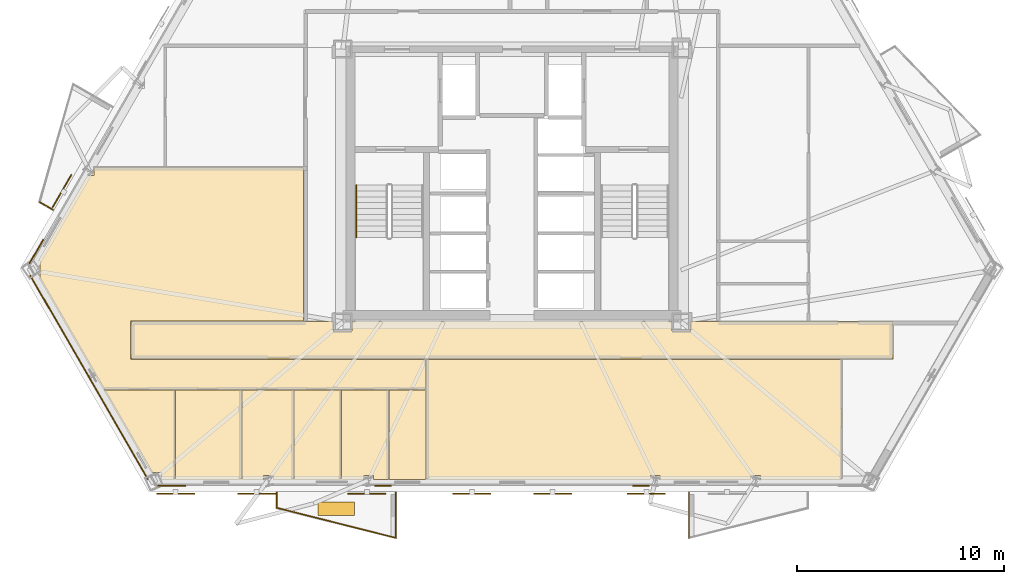
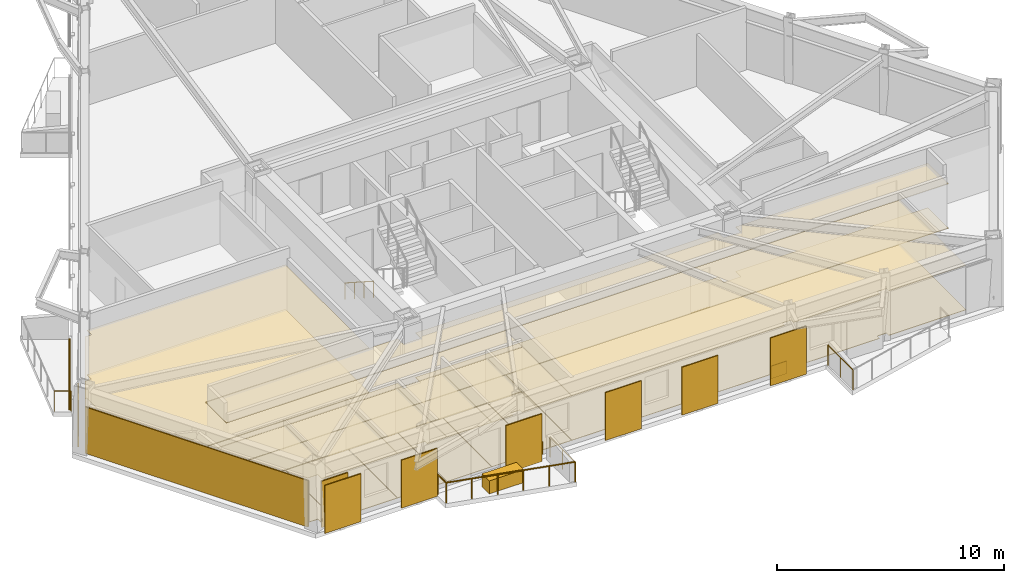
# One storey, part 7 of 10: 24 coverings, 7 shading devices, 6 railings.
"""IFC4 building model written with IfcOpenShell, lengths in metres."""

import ifcopenshell
import ifcopenshell.guid

model = None  # the IFC model being written
_history = None  # IfcOwnerHistory: only IFC2X3 demands one
_inside = {}  # id of a spatial element -> (the spatial element, [elements in it])
_under = {}  # id of a project, library or spatial element -> (it, [spatial elements below it])
_declared = {}  # id of a project -> (the project, [libraries it declares])
_typed = {}  # id of a type object -> (the type object, [elements of that type])
_made_of = {}  # id of a material, layer set ... -> (it, [elements and type objects made of it])


def new_model(schema):
    """Start an empty IFC model of exactly this schema.

    Asked for "IFC4X3", IfcOpenShell would pick the latest addendum, in which some entities
    have other attributes; the version numbers below select the first issue.
    IFC2X3 requires an IfcOwnerHistory on every rooted entity: one is made here for all.
    """
    global model, _history
    if schema == "IFC4X3":
        model = ifcopenshell.file(schema_version=(4, 3, 0, 0))
    else:
        model = ifcopenshell.file(schema=schema)
    _inside.clear()
    _under.clear()
    _declared.clear()
    _typed.clear()
    _made_of.clear()
    _history = None
    if model.schema == "IFC2X3":
        org = make("IfcOrganization", Name="unknown")
        user = make(
            "IfcPersonAndOrganization",
            ThePerson=make("IfcPerson", FamilyName="unknown"),
            TheOrganization=org,
        )
        app = make(
            "IfcApplication",
            ApplicationDeveloper=org,
            Version="unknown",
            ApplicationFullName="unknown",
            ApplicationIdentifier="unknown",
        )
        _history = make(
            "IfcOwnerHistory",
            OwningUser=user,
            OwningApplication=app,
            ChangeAction="ADDED",
            CreationDate=0,
        )
    return model


def make(cls, **values):
    """One entity of the class cls with the attributes given. An attribute that is None is left unset."""
    return model.create_entity(
        cls, **{name: value for name, value in values.items() if value is not None}
    )


def rooted(cls, **values):
    """An entity with a GlobalId (a new one), such as an element, a storey or a relation."""
    return make(cls, GlobalId=ifcopenshell.guid.new(), OwnerHistory=_history, **values)


def si_unit(unit_type, name, prefix=None):
    """IfcSIUnit, for example si_unit("LENGTHUNIT", "METRE", prefix="MILLI")."""
    return make("IfcSIUnit", UnitType=unit_type, Prefix=prefix, Name=name)


def assignment(units):
    """IfcUnitAssignment: the units of a project."""
    return None if units is None else make("IfcUnitAssignment", Units=units)


def point(xyz):
    """IfcCartesianPoint."""
    return None if xyz is None else make("IfcCartesianPoint", Coordinates=xyz)


def direction(xyz):
    """IfcDirection."""
    return None if xyz is None else make("IfcDirection", DirectionRatios=xyz)


def frame(location, z_axis=None, x_axis=None):
    """IfcAxis2Placement3D, a coordinate frame: its origin and axes. An axis left out is left unset."""
    return make(
        "IfcAxis2Placement3D",
        Location=point(location),
        Axis=direction(z_axis),
        RefDirection=direction(x_axis),
    )


def frame_2d(location, x_axis=None):
    """IfcAxis2Placement2D, a coordinate frame in the plane: its origin and x axis."""
    return make(
        "IfcAxis2Placement2D", Location=point(location), RefDirection=direction(x_axis)
    )


def origin():
    """The frame at (0, 0, 0) with its axes left unset."""
    return frame((0.0, 0.0, 0.0))


def origin_2d():
    """The frame at (0, 0) in the plane with its x axis left unset."""
    return frame_2d((0.0, 0.0))


def place(relative_to, where):
    """IfcLocalPlacement: puts the frame where relative to a parent placement (None: the world)."""
    return make(
        "IfcLocalPlacement", PlacementRelTo=relative_to, RelativePlacement=where
    )


def context(
    kind, dimensions, precision=None, world=None, true_north=None, identifier=None
):
    """IfcGeometricRepresentationContext, for example the 3D "Model" context."""
    return make(
        "IfcGeometricRepresentationContext",
        ContextIdentifier=identifier,
        ContextType=kind,
        CoordinateSpaceDimension=dimensions,
        Precision=precision,
        WorldCoordinateSystem=world,
        TrueNorth=true_north,
    )


def subcontext(parent, identifier, kind, view, scale=None):
    """IfcGeometricRepresentationSubContext, for example "Body" below "Model"."""
    return make(
        "IfcGeometricRepresentationSubContext",
        ContextIdentifier=identifier,
        ContextType=kind,
        ParentContext=parent,
        TargetScale=scale,
        TargetView=view,
    )


def project(units=None, contexts=None):
    """IfcProject with its units and contexts."""
    return rooted(
        "IfcProject",
        Name="project",
        RepresentationContexts=contexts,
        UnitsInContext=assignment(units),
    )


def spatial(cls, under=None, at=None, **own):
    """A site, building, storey or space (cls), placed at a placement, below another one or the project."""
    s = rooted(cls, ObjectPlacement=at, **own)
    if under is not None:
        _under.setdefault(under.id(), (under, []))[1].append(s)
    return s


def polyline(points):
    """IfcPolyline through the points."""
    return make("IfcPolyline", Points=[point(p) for p in points])


def profile(cls, at=None, kind="AREA", **sizes):
    """A parametric profile (cls). Its sizes go by their IFC names, for example OverallWidth=200.0."""
    return make(cls, ProfileType=kind, Position=at, **sizes)


def rectangle(**sizes):
    """IfcRectangleProfileDef."""
    return profile("IfcRectangleProfileDef", **sizes)


def circle(**sizes):
    """IfcCircleProfileDef."""
    return profile("IfcCircleProfileDef", **sizes)


def outline(outer, holes=None, kind="AREA"):
    """IfcArbitraryClosedProfileDef: a profile drawn as a closed curve; with holes, ...WithVoids."""
    if holes is None:
        return make("IfcArbitraryClosedProfileDef", ProfileType=kind, OuterCurve=outer)
    return make(
        "IfcArbitraryProfileDefWithVoids",
        ProfileType=kind,
        OuterCurve=outer,
        InnerCurves=holes,
    )


def extrude(swept, where, along, depth):
    """IfcExtrudedAreaSolid: the profile swept, set in the frame where, extruded along a direction by depth."""
    return make(
        "IfcExtrudedAreaSolid",
        SweptArea=swept,
        Position=where,
        ExtrudedDirection=direction(along),
        Depth=depth,
    )


def shape(context_of_items, identifier, shape_type, items):
    """IfcShapeRepresentation: the items that make up one representation, for example the "Body"."""
    return make(
        "IfcShapeRepresentation",
        ContextOfItems=context_of_items,
        RepresentationIdentifier=identifier,
        RepresentationType=shape_type,
        Items=items,
    )


def material(Name=None, Category=None):
    """IfcMaterial."""
    return make("IfcMaterial", Name=Name, Category=Category)


def layer(
    of_material, thickness, ventilated=None, Name=None, Category=None, Priority=None
):
    """IfcMaterialLayer: one layer of a wall or slab, of a material (None: an air gap)."""
    return make(
        "IfcMaterialLayer",
        Material=of_material,
        LayerThickness=thickness,
        IsVentilated=ventilated,
        Name=Name,
        Category=Category,
        Priority=Priority,
    )


def layer_set(layers, Name=None):
    """IfcMaterialLayerSet."""
    return make("IfcMaterialLayerSet", MaterialLayers=layers, LayerSetName=Name)


def made_of(thing, what):
    """Note that an element or type object is made of a material, layer set ...; save() writes the relation."""
    if what is not None:
        _made_of.setdefault(what.id(), (what, []))[1].append(thing)
    return thing


def type_object(cls, material=None, **own):
    """A type object (cls), such as IfcWallType, which elements share."""
    return made_of(rooted(cls, **own), material)


def element(
    cls,
    number,
    at=None,
    inside=None,
    cuts=None,
    type_object=None,
    material=None,
    context=None,
    identifier="Body",
    shape_type=None,
    held_by="IfcProductDefinitionShape",
    body=None,
    shapes=None,
    **own,
):
    """One element of the class cls, such as IfcWall. Its Tag is "e" and its number.

    at: its placement. inside: the storey or other place that contains it. cuts: it is an
    opening in that element (IfcRelVoidsElement). A single representation is given by context,
    identifier, shape_type and body (its items); several are given by shapes. held_by: the class
    of the entity that holds the representations. save() writes the other relations.
    """
    e = rooted(cls, Tag="e%d" % number, ObjectPlacement=at, **own)
    if body is not None:
        shapes = [shape(context, identifier, shape_type, body)]
    if shapes is not None:
        e.Representation = make(held_by, Representations=shapes)
    if inside is not None:
        _inside.setdefault(inside.id(), (inside, []))[1].append(e)
    if cuts is not None:
        rooted(
            "IfcRelVoidsElement", RelatingBuildingElement=cuts, RelatedOpeningElement=e
        )
    if type_object is not None:
        _typed.setdefault(type_object.id(), (type_object, []))[1].append(e)
    return made_of(e, material)


def aggregate(whole, parts):
    """IfcRelAggregates: a whole, such as a stair, and the parts it consists of."""
    return rooted("IfcRelAggregates", RelatingObject=whole, RelatedObjects=parts)


def save(model, path):
    """Write the relations noted so far, then the file.

    IfcRelAggregates (storeys below a building ...), IfcRelContainedInSpatialStructure (elements
    in a storey), IfcRelDefinesByType, IfcRelAssociatesMaterial and IfcRelDeclares: one each for
    every whole, place, type object, material and project.
    """
    for whole, parts in _under.values():
        aggregate(whole, parts)
    for where, things in _inside.values():
        rooted(
            "IfcRelContainedInSpatialStructure",
            RelatedElements=things,
            RelatingStructure=where,
        )
    for kind, things in _typed.values():
        rooted("IfcRelDefinesByType", RelatedObjects=things, RelatingType=kind)
    for what, things in _made_of.values():
        rooted("IfcRelAssociatesMaterial", RelatedObjects=things, RelatingMaterial=what)
    for by, libraries in _declared.values():
        rooted("IfcRelDeclares", RelatingContext=by, RelatedDefinitions=libraries)
    model.write(path)


model = new_model("IFC4")

# Units and contexts
model_context = context("Model", 3, precision=1e-05, world=origin(), true_north=direction((0.0, 1.0)))
body_context = subcontext(model_context, "Body", "Model", "MODEL_VIEW")
ifc_project = project(units=[si_unit("LENGTHUNIT", "METRE"), si_unit("AREAUNIT", "SQUARE_METRE"), si_unit("VOLUMEUNIT", "CUBIC_METRE"), si_unit("PLANEANGLEUNIT", "RADIAN"), si_unit("MASSUNIT", "GRAM", prefix="KILO")], contexts=[model_context])

# Site, building, storey
site_placement = place(None, origin())
site = spatial("IfcSite", under=ifc_project, at=site_placement, CompositionType="ELEMENT")
building_placement = place(site_placement, origin())
building = spatial("IfcBuilding", under=site, at=building_placement, Name="Oramaril Tower", CompositionType="ELEMENT")
storey_placement = place(building_placement, frame((0.0, 0.0, 100.5)))
storey = spatial("IfcBuildingStorey", under=building, at=storey_placement, Name="L26", CompositionType="ELEMENT", Elevation=100.5)

# Coverings
ifc_material_1 = material(Name="Mineral Fibre Acoustic Ceiling")
ifc_layer_1 = layer(ifc_material_1, 0.02001953125)
ifc_layer_set_1 = layer_set([ifc_layer_1], Name="CVT-CEIL")
covering_type_1 = type_object("IfcCoveringType", Name="CVT-CEIL", PredefinedType="CEILING", material=ifc_layer_set_1)
covering_1_placement = place(storey_placement, frame((0.0, 0.0, 2.39990234375)))
element("IfcCovering", 1, at=covering_1_placement, inside=storey, type_object=covering_type_1, Name="L26 Acoustic Suspended Ceiling 1", PredefinedType="CEILING", context=body_context, shape_type="SweptSolid", body=[
    extrude(outline(polyline([(28.905029296875, 10.554931640625), (29.794921875, 10.554931640625), (29.794921875, 11.030029296875), (45.205078125, 11.030029296875), (45.205078125, 10.554931640625), (46.094970703125, 10.554931640625), (46.094970703125, 11.030029296875), (55.8798828125, 11.030029296875), (55.8798828125, 9.219970703125), (19.1201171875, 9.219970703125), (19.1201171875, 11.030029296875), (28.905029296875, 11.030029296875), (28.905029296875, 10.554931640625)])), origin(), (0.0, 0.0, 1.0), 0.02001953125),
])
covering_2_placement = place(storey_placement, frame((0.0, 0.0, 2.39990234375)))
element("IfcCovering", 2, at=covering_2_placement, inside=storey, type_object=covering_type_1, Name="L26 Acoustic Suspended Ceiling 6", PredefinedType="CEILING", context=body_context, shape_type="SweptSolid", body=[
    extrude(outline(polyline([(49.4853515625, 3.394287109375), (49.4853515625, 3.59619140625), (49.0126953125, 3.59619140625), (49.0126953125, 3.394287109375), (44.64208984375, 3.394287109375), (44.64208984375, 3.59619140625), (44.180419921875, 3.59619140625), (44.180419921875, 3.394287109375), (33.35791015625, 3.394287109375), (33.35791015625, 9.199951171875), (53.41748046875, 9.199951171875), (53.41748046875, 3.394287109375), (49.4853515625, 3.394287109375)])), origin(), (0.0, 0.0, 1.0), 0.02001953125),
])
covering_3_placement = place(storey_placement, frame((0.0, 0.0, 2.39990234375)))
element("IfcCovering", 3, at=covering_3_placement, inside=storey, type_object=covering_type_1, Name="L26 Acoustic Suspended Ceiling 8", PredefinedType="CEILING", context=body_context, shape_type="SweptSolid", body=[
    extrude(outline(polyline([(17.35595703125, 18.0537109375), (17.35595703125, 18.44189453125), (27.449951171875, 18.44189453125), (27.449951171875, 11.050048828125), (19.1201171875, 11.050048828125), (19.117919921875, 11.0498046875), (19.1162109375, 11.049560546875), (19.1142578125, 11.049072265625), (19.1123046875, 11.048583984375), (19.110595703125, 11.047607421875), (19.10888671875, 11.046630859375), (19.107421875, 11.04541015625), (19.10595703125, 11.044189453125), (19.1044921875, 11.042724609375), (19.103515625, 11.041015625), (19.102294921875, 11.039306640625), (19.1015625, 11.03759765625), (19.100830078125, 11.035888671875), (19.100341796875, 11.033935546875), (19.10009765625, 11.031982421875), (19.10009765625, 11.030029296875), (19.10009765625, 9.219970703125), (19.10009765625, 9.218017578125), (19.100341796875, 9.216064453125), (19.100830078125, 9.214111328125), (19.1015625, 9.21240234375), (19.102294921875, 9.210693359375), (19.103515625, 9.208984375), (19.1044921875, 9.207275390625), (19.10595703125, 9.205810546875), (19.107421875, 9.20458984375), (19.10888671875, 9.203369140625), (19.110595703125, 9.202392578125), (19.1123046875, 9.201416015625), (19.1142578125, 9.200927734375), (19.1162109375, 9.200439453125), (19.117919921875, 9.2001953125), (19.1201171875, 9.199951171875), (33.337890625, 9.199951171875), (33.337890625, 7.744384765625), (17.79248046875, 7.744384765625), (14.69287109375, 13.113037109375), (14.7353515625, 13.113037109375), (14.7353515625, 13.9306640625), (14.648193359375, 13.9306640625), (17.028564453125, 18.0537109375), (17.35595703125, 18.0537109375)])), origin(), (0.0, 0.0, 1.0), 0.02001953125),
])
covering_4_placement = place(storey_placement, frame((0.0, 0.0, 2.39990234375)))
element("IfcCovering", 4, at=covering_4_placement, inside=storey, type_object=covering_type_1, Name="L26 Acoustic Suspended Ceiling 9", PredefinedType="CEILING", context=body_context, shape_type="SweptSolid", body=[
    extrude(outline(polyline([(20.61181640625, 3.394287109375), (20.61181640625, 3.743408203125), (20.1025390625, 3.743408203125), (17.80419921875, 7.724365234375), (21.259765625, 7.724365234375), (21.259765625, 3.394287109375), (20.61181640625, 3.394287109375)])), origin(), (0.0, 0.0, 1.0), 0.02001953125),
])
covering_5_placement = place(storey_placement, frame((0.0, 0.0, 2.39990234375)))
element("IfcCovering", 5, at=covering_5_placement, inside=storey, type_object=covering_type_1, Name="L26 Acoustic Suspended Ceiling 10", PredefinedType="CEILING", context=body_context, shape_type="SweptSolid", body=[
    extrude(outline(polyline([(21.27978515625, 3.394287109375), (21.27978515625, 7.724365234375), (24.4619140625, 7.724365234375), (24.4619140625, 3.394287109375), (21.27978515625, 3.394287109375)])), origin(), (0.0, 0.0, 1.0), 0.02001953125),
])
covering_6_placement = place(storey_placement, frame((0.0, 0.0, 2.39990234375)))
element("IfcCovering", 6, at=covering_6_placement, inside=storey, type_object=covering_type_1, Name="L26 Acoustic Suspended Ceiling 11", PredefinedType="CEILING", context=body_context, shape_type="SweptSolid", body=[
    extrude(outline(polyline([(25.9873046875, 3.394287109375), (25.9873046875, 3.59619140625), (25.5146484375, 3.59619140625), (25.5146484375, 3.394287109375), (24.48193359375, 3.394287109375), (24.48193359375, 7.724365234375), (26.97802734375, 7.724365234375), (26.97802734375, 3.394287109375), (25.9873046875, 3.394287109375)])), origin(), (0.0, 0.0, 1.0), 0.02001953125),
])
covering_7_placement = place(storey_placement, frame((0.0, 0.0, 2.39990234375)))
element("IfcCovering", 7, at=covering_7_placement, inside=storey, type_object=covering_type_1, Name="L26 Acoustic Suspended Ceiling 12", PredefinedType="CEILING", context=body_context, shape_type="SweptSolid", body=[
    extrude(outline(polyline([(26.998046875, 3.394287109375), (26.998046875, 7.724365234375), (29.265380859375, 7.724365234375), (29.265380859375, 3.394287109375), (26.998046875, 3.394287109375)])), origin(), (0.0, 0.0, 1.0), 0.02001953125),
])
covering_8_placement = place(storey_placement, frame((0.0, 0.0, 2.39990234375)))
element("IfcCovering", 8, at=covering_8_placement, inside=storey, type_object=covering_type_1, Name="L26 Acoustic Suspended Ceiling 13", PredefinedType="CEILING", context=body_context, shape_type="SweptSolid", body=[
    extrude(outline(polyline([(30.819580078125, 3.394287109375), (30.819580078125, 3.59619140625), (30.35791015625, 3.59619140625), (30.35791015625, 3.394287109375), (29.285400390625, 3.394287109375), (29.285400390625, 7.724365234375), (31.552001953125, 7.724365234375), (31.552001953125, 3.394287109375), (30.819580078125, 3.394287109375)])), origin(), (0.0, 0.0, 1.0), 0.02001953125),
])
covering_9_placement = place(storey_placement, frame((0.0, 0.0, 2.39990234375)))
element("IfcCovering", 9, at=covering_9_placement, inside=storey, type_object=covering_type_1, Name="L26 Acoustic Suspended Ceiling 14", PredefinedType="CEILING", context=body_context, shape_type="SweptSolid", body=[
    extrude(outline(polyline([(31.572021484375, 3.394287109375), (31.572021484375, 7.724365234375), (33.337890625, 7.724365234375), (33.337890625, 3.394287109375), (31.572021484375, 3.394287109375)])), origin(), (0.0, 0.0, 1.0), 0.02001953125),
])
ifc_material_2 = material(Name="Warm Cream Limestone", Category="masonry")
ifc_layer_2 = layer(ifc_material_2, 0.050048828125)
ifc_layer_set_2 = layer_set([ifc_layer_2], Name="CVT-CLD")
covering_type_2 = type_object("IfcCoveringType", Name="CVT-CLD", PredefinedType="CLADDING", material=ifc_layer_set_2)
covering_10_placement = place(storey_placement, frame((17.108642578125, 8.326904296875, 0.0400390625), z_axis=(0.0, 0.0, 1.0), x_axis=(0.4999984885, -0.866026276448, 0.0)))
element("IfcCovering", 10, at=covering_10_placement, inside=storey, type_object=covering_type_2, Name="L26 Warm Cream Limestone Cladding", PredefinedType="CLADDING", context=body_context, shape_type="SweptSolid", body=[
    extrude(rectangle(XDim=11.36376953125, YDim=0.050048828125, at=origin_2d()), origin(), (0.0, 0.0, 1.0), 2.498046875),
])
covering_11_placement = place(storey_placement, frame((21.091796875, 3.09326171875, 0.0400390625), z_axis=(0.0, 0.0, 1.0), x_axis=(1.0, 0.0, 0.0)))
element("IfcCovering", 11, at=covering_11_placement, inside=storey, type_object=covering_type_2, Name="L26 Warm Cream Limestone Cladding", PredefinedType="CLADDING", context=body_context, shape_type="SweptSolid", body=[
    extrude(rectangle(XDim=1.35009765625, YDim=0.050048828125, at=origin_2d()), origin(), (0.0, 0.0, 1.0), 2.498046875),
])
for number, where, z_axis, x_axis, name in (
    (12, (31.287109375, 3.09326171875, 0.0400390625), (0.0, 0.0, 1.0), (1.0, 0.0, 0.0), "L26 Warm Cream Limestone Spandrel Cladding"),
    (13, (43.712890625, 3.09326171875, 0.0400390625), (0.0, 0.0, 1.0), (1.0, 0.0, 0.0), "L26 Warm Cream Limestone Spandrel Cladding"),
):
    element("IfcCovering", number, at=place(storey_placement, frame(where, z_axis=z_axis, x_axis=x_axis)), inside=storey, type_object=covering_type_2, Name=name, PredefinedType="CLADDING", context=body_context, shape_type="SweptSolid", body=[
        extrude(rectangle(XDim=0.800048828125, YDim=0.050048828125, at=origin_2d()), origin(), (0.0, 0.0, 1.0), 0.679931640625),
    ])
covering_12_placement = place(storey_placement, frame((14.567626953125, 14.393310546875, 0.0400390625), z_axis=(0.0, 0.0, 1.0), x_axis=(-0.5, -0.866025403784, 0.0)))
element("IfcCovering", 14, at=covering_12_placement, inside=storey, type_object=covering_type_2, Name="L26 Warm Cream Limestone Cladding", PredefinedType="CLADDING", context=body_context, shape_type="SweptSolid", body=[
    extrude(rectangle(XDim=1.35009765625, YDim=0.050048828125, at=origin_2d()), origin(), (0.0, 0.0, 1.0), 2.498046875),
])
covering_13_placement = place(storey_placement, frame((29.026123046875, 1.98974609375, 0.0), z_axis=(0.0, 0.0, 1.0), x_axis=(1.0, 0.0, 0.0)))
element("IfcCovering", 15, at=covering_13_placement, inside=storey, type_object=covering_type_2, Name="L26 Structural Tree Planter Box L26-BAL-S1", PredefinedType="CLADDING", context=body_context, shape_type="SweptSolid", body=[
    extrude(rectangle(XDim=1.75, YDim=0.64990234375, at=origin_2d()), origin(), (0.0, 0.0, 1.0), 0.699951171875),
])
ifc_material_3 = material(Name="Honed Quartzite Stone Flooring", Category="masonry")
ifc_layer_3 = layer(ifc_material_3, 0.02490234375)
ifc_layer_set_3 = layer_set([ifc_layer_3], Name="CVT-FLR")
covering_type_3 = type_object("IfcCoveringType", Name="CVT-FLR", PredefinedType="FLOORING", material=ifc_layer_set_3)
covering_14_placement = place(storey_placement, origin())
element("IfcCovering", 16, at=covering_14_placement, inside=storey, type_object=covering_type_3, Name="L26 Honed Stone Floor Finish 1", PredefinedType="FLOORING", context=body_context, shape_type="SweptSolid", body=[
    extrude(outline(polyline([(28.905029296875, 10.554931640625), (29.794921875, 10.554931640625), (29.794921875, 11.030029296875), (45.205078125, 11.030029296875), (45.205078125, 10.554931640625), (46.094970703125, 10.554931640625), (46.094970703125, 11.030029296875), (55.8798828125, 11.030029296875), (55.8798828125, 9.219970703125), (19.1201171875, 9.219970703125), (19.1201171875, 11.030029296875), (28.905029296875, 11.030029296875), (28.905029296875, 10.554931640625)])), origin(), (0.0, 0.0, 1.0), 0.02490234375),
])
covering_15_placement = place(storey_placement, origin())
element("IfcCovering", 17, at=covering_15_placement, inside=storey, type_object=covering_type_3, Name="L26 Honed Stone Floor Finish 6", PredefinedType="FLOORING", context=body_context, shape_type="SweptSolid", body=[
    extrude(outline(polyline([(49.4853515625, 3.394287109375), (49.4853515625, 3.59619140625), (49.0126953125, 3.59619140625), (49.0126953125, 3.394287109375), (44.64208984375, 3.394287109375), (44.64208984375, 3.59619140625), (44.180419921875, 3.59619140625), (44.180419921875, 3.394287109375), (33.35791015625, 3.394287109375), (33.35791015625, 9.199951171875), (53.41748046875, 9.199951171875), (53.41748046875, 3.394287109375), (49.4853515625, 3.394287109375)])), origin(), (0.0, 0.0, 1.0), 0.02490234375),
])
covering_16_placement = place(storey_placement, origin())
element("IfcCovering", 18, at=covering_16_placement, inside=storey, type_object=covering_type_3, Name="L26 Honed Stone Floor Finish 8", PredefinedType="FLOORING", context=body_context, shape_type="SweptSolid", body=[
    extrude(outline(polyline([(17.35595703125, 18.0537109375), (17.35595703125, 18.44189453125), (27.449951171875, 18.44189453125), (27.449951171875, 11.050048828125), (19.1201171875, 11.050048828125), (19.117919921875, 11.0498046875), (19.1162109375, 11.049560546875), (19.1142578125, 11.049072265625), (19.1123046875, 11.048583984375), (19.110595703125, 11.047607421875), (19.10888671875, 11.046630859375), (19.107421875, 11.04541015625), (19.10595703125, 11.044189453125), (19.1044921875, 11.042724609375), (19.103515625, 11.041015625), (19.102294921875, 11.039306640625), (19.1015625, 11.03759765625), (19.100830078125, 11.035888671875), (19.100341796875, 11.033935546875), (19.10009765625, 11.031982421875), (19.10009765625, 11.030029296875), (19.10009765625, 9.219970703125), (19.10009765625, 9.218017578125), (19.100341796875, 9.216064453125), (19.100830078125, 9.214111328125), (19.1015625, 9.21240234375), (19.102294921875, 9.210693359375), (19.103515625, 9.208984375), (19.1044921875, 9.207275390625), (19.10595703125, 9.205810546875), (19.107421875, 9.20458984375), (19.10888671875, 9.203369140625), (19.110595703125, 9.202392578125), (19.1123046875, 9.201416015625), (19.1142578125, 9.200927734375), (19.1162109375, 9.200439453125), (19.117919921875, 9.2001953125), (19.1201171875, 9.199951171875), (33.337890625, 9.199951171875), (33.337890625, 7.744384765625), (17.79248046875, 7.744384765625), (14.69287109375, 13.113037109375), (14.7353515625, 13.113037109375), (14.7353515625, 13.9306640625), (14.648193359375, 13.9306640625), (17.028564453125, 18.0537109375), (17.35595703125, 18.0537109375)])), origin(), (0.0, 0.0, 1.0), 0.02490234375),
])
covering_17_placement = place(storey_placement, origin())
element("IfcCovering", 19, at=covering_17_placement, inside=storey, type_object=covering_type_3, Name="L26 Honed Stone Floor Finish 9", PredefinedType="FLOORING", context=body_context, shape_type="SweptSolid", body=[
    extrude(outline(polyline([(20.61181640625, 3.394287109375), (20.61181640625, 3.743408203125), (20.1025390625, 3.743408203125), (17.80419921875, 7.724365234375), (21.259765625, 7.724365234375), (21.259765625, 3.394287109375), (20.61181640625, 3.394287109375)])), origin(), (0.0, 0.0, 1.0), 0.02490234375),
])
covering_18_placement = place(storey_placement, origin())
element("IfcCovering", 20, at=covering_18_placement, inside=storey, type_object=covering_type_3, Name="L26 Honed Stone Floor Finish 10", PredefinedType="FLOORING", context=body_context, shape_type="SweptSolid", body=[
    extrude(outline(polyline([(21.27978515625, 3.394287109375), (21.27978515625, 7.724365234375), (24.4619140625, 7.724365234375), (24.4619140625, 3.394287109375), (21.27978515625, 3.394287109375)])), origin(), (0.0, 0.0, 1.0), 0.02490234375),
])
covering_19_placement = place(storey_placement, origin())
element("IfcCovering", 21, at=covering_19_placement, inside=storey, type_object=covering_type_3, Name="L26 Honed Stone Floor Finish 11", PredefinedType="FLOORING", context=body_context, shape_type="SweptSolid", body=[
    extrude(outline(polyline([(25.9873046875, 3.394287109375), (25.9873046875, 3.59619140625), (25.5146484375, 3.59619140625), (25.5146484375, 3.394287109375), (24.48193359375, 3.394287109375), (24.48193359375, 7.724365234375), (26.97802734375, 7.724365234375), (26.97802734375, 3.394287109375), (25.9873046875, 3.394287109375)])), origin(), (0.0, 0.0, 1.0), 0.02490234375),
])
covering_20_placement = place(storey_placement, origin())
element("IfcCovering", 22, at=covering_20_placement, inside=storey, type_object=covering_type_3, Name="L26 Honed Stone Floor Finish 12", PredefinedType="FLOORING", context=body_context, shape_type="SweptSolid", body=[
    extrude(outline(polyline([(26.998046875, 3.394287109375), (26.998046875, 7.724365234375), (29.265380859375, 7.724365234375), (29.265380859375, 3.394287109375), (26.998046875, 3.394287109375)])), origin(), (0.0, 0.0, 1.0), 0.02490234375),
])
covering_21_placement = place(storey_placement, origin())
element("IfcCovering", 23, at=covering_21_placement, inside=storey, type_object=covering_type_3, Name="L26 Honed Stone Floor Finish 13", PredefinedType="FLOORING", context=body_context, shape_type="SweptSolid", body=[
    extrude(outline(polyline([(30.819580078125, 3.394287109375), (30.819580078125, 3.59619140625), (30.35791015625, 3.59619140625), (30.35791015625, 3.394287109375), (29.285400390625, 3.394287109375), (29.285400390625, 7.724365234375), (31.552001953125, 7.724365234375), (31.552001953125, 3.394287109375), (30.819580078125, 3.394287109375)])), origin(), (0.0, 0.0, 1.0), 0.02490234375),
])
covering_22_placement = place(storey_placement, origin())
element("IfcCovering", 24, at=covering_22_placement, inside=storey, type_object=covering_type_3, Name="L26 Honed Stone Floor Finish 14", PredefinedType="FLOORING", context=body_context, shape_type="SweptSolid", body=[
    extrude(outline(polyline([(31.572021484375, 3.394287109375), (31.572021484375, 7.724365234375), (33.337890625, 7.724365234375), (33.337890625, 3.394287109375), (31.572021484375, 3.394287109375)])), origin(), (0.0, 0.0, 1.0), 0.02490234375),
])

# Railings
ifc_material_4 = material(Name="Stainless Steel 316L", Category="steel")
railing_type_1 = type_object("IfcRailingType", Name="RLT-GRD", PredefinedType="GUARDRAIL", material=ifc_material_4)
railing_1_placement = place(storey_placement, frame((31.89111328125, 2.7783203125, 0.0)))
element("IfcRailing", 25, at=railing_1_placement, inside=storey, type_object=railing_type_1, Name="L26 Balcony Guardrail L26-BAL-S1.1", PredefinedType="GUARDRAIL", context=body_context, shape_type="SweptSolid", body=[
    extrude(circle(Radius=0.02392578125, at=origin_2d()), frame((0.0, 0.0, 1.076171875), z_axis=(0.0, -1.0, 0.0), x_axis=(1.0, 0.0, 0.0)), (0.0, 0.0, 1.0), 2.192138671875),
    extrude(circle(Radius=0.02099609375, at=origin_2d()), origin(), (0.0, 0.0, 1.0), 1.052001953125),
    extrude(circle(Radius=0.02099609375, at=origin_2d()), frame((0.0, -1.09619140625, 0.0)), (0.0, 0.0, 1.0), 1.052001953125),
    extrude(circle(Radius=0.02099609375, at=origin_2d()), frame((0.0, -2.192138671875, 0.0)), (0.0, 0.0, 1.0), 1.052001953125),
])
railing_2_placement = place(storey_placement, frame((31.89111328125, 0.586181640625, 0.0)))
element("IfcRailing", 26, at=railing_2_placement, inside=storey, type_object=railing_type_1, Name="L26 Balcony Guardrail L26-BAL-S1.2", PredefinedType="GUARDRAIL", context=body_context, shape_type="SweptSolid", body=[
    extrude(circle(Radius=0.02392578125, at=origin_2d()), frame((0.0, 0.0, 1.076171875), z_axis=(-0.969433787338, 0.245353076131, 0.0), x_axis=(-0.245353076131, -0.969433787338, 0.0)), (0.0, 0.0, 1.0), 5.91064453125),
    extrude(circle(Radius=0.02099609375, at=origin_2d()), origin(), (0.0, 0.0, 1.0), 1.052001953125),
    extrude(circle(Radius=0.02099609375, at=origin_2d()), frame((-1.14599609375, 0.2900390625, 0.0)), (0.0, 0.0, 1.0), 1.052001953125),
    extrude(circle(Radius=0.02099609375, at=origin_2d()), frame((-2.2919921875, 0.580078125, 0.0)), (0.0, 0.0, 1.0), 1.052001953125),
    extrude(circle(Radius=0.02099609375, at=origin_2d()), frame((-3.43798828125, 0.8701171875, 0.0)), (0.0, 0.0, 1.0), 1.052001953125),
    extrude(circle(Radius=0.02099609375, at=origin_2d()), frame((-4.583984375, 1.16015625, 0.0)), (0.0, 0.0, 1.0), 1.052001953125),
    extrude(circle(Radius=0.02099609375, at=origin_2d()), frame((-5.72998046875, 1.4501953125, 0.0)), (0.0, 0.0, 1.0), 1.052001953125),
])
railing_3_placement = place(storey_placement, frame((26.1611328125, 2.036376953125, 0.0)))
element("IfcRailing", 27, at=railing_3_placement, inside=storey, type_object=railing_type_1, Name="L26 Balcony Guardrail L26-BAL-S1.3", PredefinedType="GUARDRAIL", context=body_context, shape_type="SweptSolid", body=[
    extrude(circle(Radius=0.02392578125, at=origin_2d()), frame((0.0, 0.0, 1.076171875), z_axis=(0.0, 1.0, 0.0), x_axis=(-1.0, 0.0, 0.0)), (0.0, 0.0, 1.0), 0.741943359375),
    extrude(circle(Radius=0.02099609375, at=origin_2d()), origin(), (0.0, 0.0, 1.0), 1.052001953125),
    extrude(circle(Radius=0.02099609375, at=origin_2d()), frame((0.0, 0.741943359375, 0.0)), (0.0, 0.0, 1.0), 1.052001953125),
])
railing_4_placement = place(storey_placement, frame((46.033935546875, 0.586181640625, 0.0)))
element("IfcRailing", 28, at=railing_4_placement, inside=storey, type_object=railing_type_1, Name="L26 Balcony Guardrail L26-BAL-S2.3", PredefinedType="GUARDRAIL", context=body_context, shape_type="SweptSolid", body=[
    extrude(circle(Radius=0.02392578125, at=origin_2d()), frame((0.0, 0.0, 1.076171875), z_axis=(0.0, 1.0, 0.0), x_axis=(-1.0, 0.0, 0.0)), (0.0, 0.0, 1.0), 2.192138671875),
    extrude(circle(Radius=0.02099609375, at=origin_2d()), origin(), (0.0, 0.0, 1.0), 1.052001953125),
    extrude(circle(Radius=0.02099609375, at=origin_2d()), frame((0.0, 1.09619140625, 0.0)), (0.0, 0.0, 1.0), 1.052001953125),
    extrude(circle(Radius=0.02099609375, at=origin_2d()), frame((0.0, 2.192138671875, 0.0)), (0.0, 0.0, 1.0), 1.052001953125),
])
railing_5_placement = place(storey_placement, frame((15.366943359375, 16.407958984375, 0.0)))
element("IfcRailing", 29, at=railing_5_placement, inside=storey, type_object=railing_type_1, Name="L26 Balcony Guardrail L26-BAL-NW2.1", PredefinedType="GUARDRAIL", context=body_context, shape_type="SweptSolid", body=[
    extrude(circle(Radius=0.02392578125, at=origin_2d()), frame((0.0, 0.0, 1.076171875), z_axis=(-0.865884080729, 0.500244698863, 0.0), x_axis=(-0.500244698863, -0.865884080729, 0.0)), (0.0, 0.0, 1.0), 0.741943359375),
    extrude(circle(Radius=0.02099609375, at=origin_2d()), origin(), (0.0, 0.0, 1.0), 1.052001953125),
    extrude(circle(Radius=0.02099609375, at=origin_2d()), frame((-0.642333984375, 0.37109375, 0.0)), (0.0, 0.0, 1.0), 1.052001953125),
])
ifc_material_5 = material(Name="Stainless Steel 316L", Category="steel")
railing_type_2 = type_object("IfcRailingType", Name="RLT-HND", PredefinedType="HANDRAIL", material=ifc_material_5)
railing_6_placement = place(storey_placement, frame((30.0, 17.590087890625, 0.179931640625)))
element("IfcRailing", 30, at=railing_6_placement, inside=storey, type_object=railing_type_2, Name="L26 ST-1 stair handrail 1", PredefinedType="HANDRAIL", context=body_context, shape_type="SweptSolid", body=[
    extrude(circle(Radius=0.02392578125, at=origin_2d()), frame((0.0, 0.0, 0.8759765625), z_axis=(0.0, -0.841162588446, 0.540782303519), x_axis=(1.0, 0.0, 0.0)), (0.0, 0.0, 1.0), 2.995849609375),
    extrude(circle(Radius=0.02099609375, at=origin_2d()), origin(), (0.0, 0.0, 1.0), 0.851806640625),
    extrude(circle(Radius=0.02099609375, at=origin_2d()), frame((0.0, -0.840087890625, 0.5400390625)), (0.0, 0.0, 1.0), 0.851806640625),
    extrude(circle(Radius=0.02099609375, at=origin_2d()), frame((0.0, -1.679931640625, 1.080078125)), (0.0, 0.0, 1.0), 0.851806640625),
    extrude(circle(Radius=0.02099609375, at=origin_2d()), frame((0.0, -2.52001953125, 1.6201171875)), (0.0, 0.0, 1.0), 0.851806640625),
])

# Shading devices
for number, where, z_axis, x_axis, name in (
    (31, (35.56298828125, 2.706298828125, -0.02001953125), (0.0, 0.0, 1.0), (1.0, 0.0, 0.0), "L26 Perforated Ceramic Solar Screen"),
    (32, (39.462890625, 2.706298828125, -0.02001953125), (0.0, 0.0, 1.0), (1.0, 0.0, 0.0), "L26 Perforated Ceramic Solar Screen"),
    (33, (43.97412109375, 2.706298828125, -0.02001953125), (0.0, 0.0, 1.0), (1.0, 0.0, 0.0), "L26 Perforated Ceramic Solar Screen"),
    (34, (21.281982421875, 2.706298828125, -0.02001953125), (0.0, 0.0, 1.0), (1.0, 0.0, 0.0), "L26 Perforated Ceramic Solar Screen"),
    (35, (25.181884765625, 2.706298828125, -0.02001953125), (0.0, 0.0, 1.0), (1.0, 0.0, 0.0), "L26 Perforated Ceramic Solar Screen"),
    (36, (30.5048828125, 2.706298828125, -0.02001953125), (0.0, 0.0, 1.0), (1.0, 0.0, 0.0), "L26 Perforated Ceramic Solar Screen"),
    (37, (15.804931640625, 17.310546875, -0.02001953125), (0.0, 0.0, 1.0), (-0.5, -0.866025403784, 0.0), "L26 Perforated Ceramic Solar Screen"),
):
    element("IfcShadingDevice", number, at=place(storey_placement, frame(where, z_axis=z_axis, x_axis=x_axis)), inside=storey, Name=name, ObjectType="SCREEN", PredefinedType="USERDEFINED", context=body_context, shape_type="SweptSolid", body=[
        extrude(rectangle(XDim=1.8330078125, YDim=0.050048828125, at=origin_2d()), origin(), (0.0, 0.0, 1.0), 2.577880859375),
    ])

save(model, "model.ifc")
